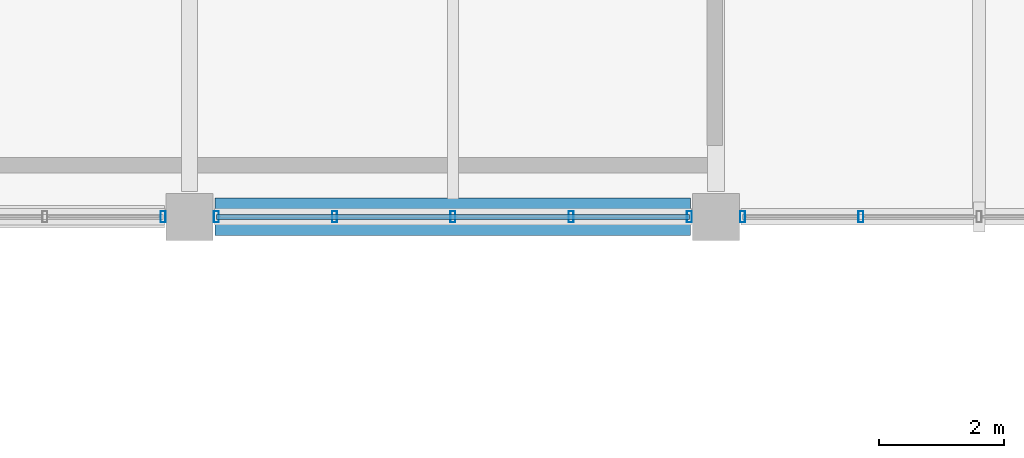
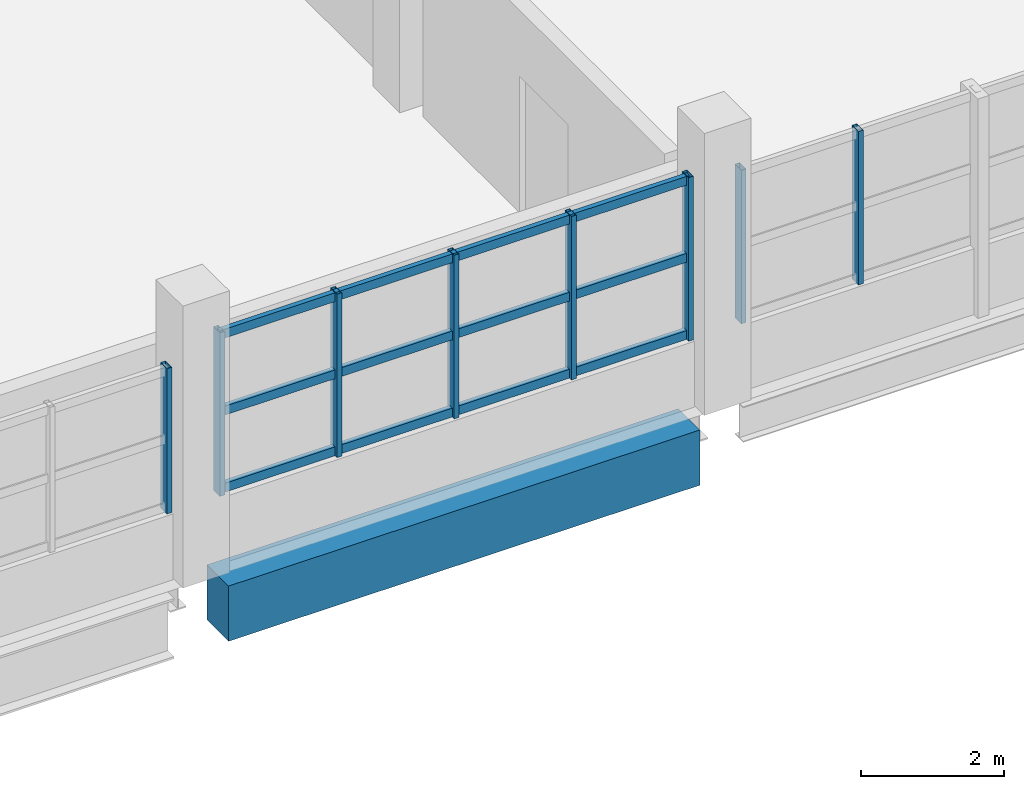
# One storey, part 43 of 117: 11 members, 1 beam, 3 elements without a shape of their own.
"""IFC4 building model written with IfcOpenShell, lengths in metres."""

from ifc_helpers import new_model, si_unit, direction, frame, origin, origin_2d, place, context, subcontext, project, spatial, rectangle, hollow_rectangle, extrude, material, material_profile, profile_set, type_object, element, aggregate, save


model = new_model("IFC4")

# Units and contexts
model_context = context("Model", 3, precision=1e-05, world=origin(), true_north=direction((0.0, 1.0)))
body_context = subcontext(model_context, "Body", "Model", "MODEL_VIEW")
ifc_project = project(units=[si_unit("LENGTHUNIT", "METRE"), si_unit("AREAUNIT", "SQUARE_METRE"), si_unit("VOLUMEUNIT", "CUBIC_METRE"), si_unit("PLANEANGLEUNIT", "RADIAN"), si_unit("MASSUNIT", "GRAM", prefix="KILO")], contexts=[model_context])

# Site, building, storey
site_placement = place(None, origin())
site = spatial("IfcSite", under=ifc_project, at=site_placement, CompositionType="ELEMENT")
building_placement = place(site_placement, origin())
building = spatial("IfcBuilding", under=site, at=building_placement, Name="Solvento Point Concert Hall", CompositionType="ELEMENT")
storey_placement = place(building_placement, frame((0.0, 0.0, 5.39990234375)))
storey = spatial("IfcBuildingStorey", under=building, at=storey_placement, Name="L01", CompositionType="ELEMENT", Elevation=5.39990234375)

# Beam
ifc_material_1 = material(Name="Concrete C35/45", Category="concrete")
ifc_material_profile_1 = material_profile(ifc_material_1, rectangle(XDim=0.60009765625, YDim=0.93994140625, at=origin_2d()), Name="RC-BM-600X940")
ifc_profile_set_1 = profile_set([ifc_material_profile_1], Name="Concrete C35/45")
beam_type = type_object("IfcBeamType", Name="Girder_RC_600x940", PredefinedType="USERDEFINED", material=ifc_profile_set_1)
beam_placement = place(storey_placement, frame((49.60400390625, 119.0, -0.75390625), z_axis=(1.0, 0.0, 0.0), x_axis=(0.0, 1.0, 0.0)))
element("IfcBeam", 1, at=beam_placement, inside=storey, type_object=beam_type, Name="Primary girder B-34 L01", ObjectType="GIRDER", PredefinedType="USERDEFINED", context=body_context, shape_type="SweptSolid", body=[
    extrude(rectangle(XDim=0.60009765625, YDim=0.93994140625, at=origin_2d()), origin(), (0.0, 0.0, 1.0), 7.592041015625),
])

# Curtain wall, member
ifc_material_2 = material(Name="Anodized Bronze Aluminium", Category="aluminium")
curtain_wall_type = type_object("IfcCurtainWallType", Name="CurtainWall_CourtPilotis", PredefinedType="USERDEFINED", material=ifc_material_2)
curtain_wall_1_placement = place(storey_placement, origin())
curtain_wall_1 = element("IfcCurtainWall", 2, at=curtain_wall_1_placement, inside=storey, type_object=curtain_wall_type, Name="Unitised curtain wall CW-96 UCW-L01-136", ObjectType="UNITISED CURTAIN WALL", PredefinedType="USERDEFINED")
ifc_material_3 = material(Name="Anodized Bronze Aluminium", Category="aluminium")
ifc_material_profile_2 = material_profile(ifc_material_3, hollow_rectangle(XDim=0.080078125, YDim=0.179931640625, WallThickness=0.00390625, at=origin_2d()), Name="CW-MUL-80X180")
ifc_profile_set_2 = profile_set([ifc_material_profile_2], Name="Anodized Bronze Aluminium")
member_type_1 = type_object("IfcMemberType", Name="Mullion_80x180", PredefinedType="MULLION", material=ifc_profile_set_2)
member_1_placement = place(storey_placement, frame((48.77490234375, 119.0, 1.1201171875), z_axis=(0.0, 0.0, 1.0), x_axis=(1.0, 0.0, 0.0)))
member_1 = element("IfcMember", 3, at=member_1_placement, type_object=member_type_1, Name="Curtain wall mullion ML-01", PredefinedType="MULLION", context=body_context, shape_type="SweptSolid", body=[
    extrude(hollow_rectangle(XDim=0.080078125, YDim=0.179931640625, WallThickness=0.00390625, at=origin_2d()), origin(), (0.0, 0.0, 1.0), 2.473876953125),
])
aggregate(curtain_wall_1, [member_1])

# Curtain wall, members
curtain_wall_2_placement = place(storey_placement, origin())
curtain_wall_2 = element("IfcCurtainWall", 4, at=curtain_wall_2_placement, inside=storey, type_object=curtain_wall_type, Name="Unitised curtain wall CW-96 UCW-L01-137", ObjectType="UNITISED CURTAIN WALL", PredefinedType="USERDEFINED")
member_2_placement = place(storey_placement, frame((49.625, 119.0, 1.1201171875), z_axis=(0.0, 0.0, 1.0), x_axis=(1.0, 0.0, 0.0)))
member_2 = element("IfcMember", 5, at=member_2_placement, type_object=member_type_1, Name="Curtain wall mullion ML-01", PredefinedType="MULLION", context=body_context, shape_type="SweptSolid", body=[
    extrude(hollow_rectangle(XDim=0.080078125, YDim=0.179931640625, WallThickness=0.00390625, at=origin_2d()), origin(), (0.0, 0.0, 1.0), 2.785888671875),
])
member_3_placement = place(storey_placement, frame((51.512451171875, 119.0, 1.1201171875), z_axis=(0.0, 0.0, 1.0), x_axis=(1.0, 0.0, 0.0)))
member_3 = element("IfcMember", 6, at=member_3_placement, type_object=member_type_1, Name="Curtain wall mullion ML-01", PredefinedType="MULLION", context=body_context, shape_type="SweptSolid", body=[
    extrude(hollow_rectangle(XDim=0.080078125, YDim=0.179931640625, WallThickness=0.00390625, at=origin_2d()), origin(), (0.0, 0.0, 1.0), 2.785888671875),
])
member_4_placement = place(storey_placement, frame((53.39990234375, 119.0, 1.1201171875), z_axis=(0.0, 0.0, 1.0), x_axis=(1.0, 0.0, 0.0)))
member_4 = element("IfcMember", 7, at=member_4_placement, type_object=member_type_1, Name="Curtain wall mullion ML-01", PredefinedType="MULLION", context=body_context, shape_type="SweptSolid", body=[
    extrude(hollow_rectangle(XDim=0.080078125, YDim=0.179931640625, WallThickness=0.00390625, at=origin_2d()), origin(), (0.0, 0.0, 1.0), 2.785888671875),
])
member_5_placement = place(storey_placement, frame((55.28759765625, 119.0, 1.1201171875), z_axis=(0.0, 0.0, 1.0), x_axis=(1.0, 0.0, 0.0)))
member_5 = element("IfcMember", 8, at=member_5_placement, type_object=member_type_1, Name="Curtain wall mullion ML-01", PredefinedType="MULLION", context=body_context, shape_type="SweptSolid", body=[
    extrude(hollow_rectangle(XDim=0.080078125, YDim=0.179931640625, WallThickness=0.00390625, at=origin_2d()), origin(), (0.0, 0.0, 1.0), 2.785888671875),
])
member_6_placement = place(storey_placement, frame((57.175048828125, 119.0, 1.1201171875), z_axis=(0.0, 0.0, 1.0), x_axis=(1.0, 0.0, 0.0)))
member_6 = element("IfcMember", 9, at=member_6_placement, type_object=member_type_1, Name="Curtain wall mullion ML-01", PredefinedType="MULLION", context=body_context, shape_type="SweptSolid", body=[
    extrude(hollow_rectangle(XDim=0.080078125, YDim=0.179931640625, WallThickness=0.00390625, at=origin_2d()), origin(), (0.0, 0.0, 1.0), 2.785888671875),
])

curtain_wall_3_placement = place(storey_placement, origin())
curtain_wall_3 = element("IfcCurtainWall", 10, at=curtain_wall_3_placement, inside=storey, type_object=curtain_wall_type, Name="Unitised curtain wall CW-96 UCW-L01-138", ObjectType="UNITISED CURTAIN WALL", PredefinedType="USERDEFINED")
member_7_placement = place(storey_placement, frame((58.02490234375, 119.0, 1.1201171875), z_axis=(0.0, 0.0, 1.0), x_axis=(1.0, 0.0, 0.0)))
member_7 = element("IfcMember", 11, at=member_7_placement, type_object=member_type_1, Name="Curtain wall mullion ML-01", PredefinedType="MULLION", context=body_context, shape_type="SweptSolid", body=[
    extrude(hollow_rectangle(XDim=0.080078125, YDim=0.179931640625, WallThickness=0.00390625, at=origin_2d()), origin(), (0.0, 0.0, 1.0), 2.614013671875),
])
member_8_placement = place(storey_placement, frame((59.91259765625, 119.0, 1.1201171875), z_axis=(0.0, 0.0, 1.0), x_axis=(1.0, 0.0, 0.0)))
member_8 = element("IfcMember", 12, at=member_8_placement, type_object=member_type_1, Name="Curtain wall mullion ML-01", PredefinedType="MULLION", context=body_context, shape_type="SweptSolid", body=[
    extrude(hollow_rectangle(XDim=0.080078125, YDim=0.179931640625, WallThickness=0.00390625, at=origin_2d()), origin(), (0.0, 0.0, 1.0), 2.614013671875),
])
aggregate(curtain_wall_3, [member_7, member_8])

# Member
ifc_material_4 = material(Name="Anodized Bronze Aluminium", Category="aluminium")
ifc_material_profile_3 = material_profile(ifc_material_4, hollow_rectangle(XDim=0.080078125, YDim=0.14990234375, WallThickness=0.00390625, at=origin_2d()), Name="CW-TRN-80X150")
ifc_profile_set_3 = profile_set([ifc_material_profile_3], Name="Anodized Bronze Aluminium")
member_type_2 = type_object("IfcMemberType", Name="Transom_80x150", PredefinedType="USERDEFINED", material=ifc_profile_set_3)
member_9_placement = place(storey_placement, frame((49.625, 119.0, 1.2001953125), z_axis=(1.0, 0.0, 0.0), x_axis=(0.0, 1.0, 0.0)))
member_9 = element("IfcMember", 13, at=member_9_placement, type_object=member_type_2, Name="Curtain wall transom TR-01", ObjectType="TRANSOM", PredefinedType="USERDEFINED", context=body_context, shape_type="SweptSolid", body=[
    extrude(hollow_rectangle(XDim=0.080078125, YDim=0.14990234375, WallThickness=0.00390625, at=origin_2d()), origin(), (0.0, 0.0, 1.0), 7.550048828125),
])

member_10_placement = place(storey_placement, frame((49.625, 119.0, 2.51318359375), z_axis=(1.0, 0.0, 0.0), x_axis=(0.0, 1.0, 0.0)))
member_10 = element("IfcMember", 14, at=member_10_placement, type_object=member_type_2, Name="Curtain wall transom TR-01", ObjectType="TRANSOM", PredefinedType="USERDEFINED", context=body_context, shape_type="SweptSolid", body=[
    extrude(hollow_rectangle(XDim=0.080078125, YDim=0.14990234375, WallThickness=0.00390625, at=origin_2d()), origin(), (0.0, 0.0, 1.0), 7.550048828125),
])

member_11_placement = place(storey_placement, frame((49.625, 119.0, 3.826171875), z_axis=(1.0, 0.0, 0.0), x_axis=(0.0, 1.0, 0.0)))
member_11 = element("IfcMember", 15, at=member_11_placement, type_object=member_type_2, Name="Curtain wall transom TR-01", ObjectType="TRANSOM", PredefinedType="USERDEFINED", context=body_context, shape_type="SweptSolid", body=[
    extrude(hollow_rectangle(XDim=0.080078125, YDim=0.14990234375, WallThickness=0.00390625, at=origin_2d()), origin(), (0.0, 0.0, 1.0), 7.550048828125),
])

aggregate(curtain_wall_2, [member_2, member_3, member_4, member_5, member_6, member_9, member_10, member_11])

save(model, "model.ifc")
